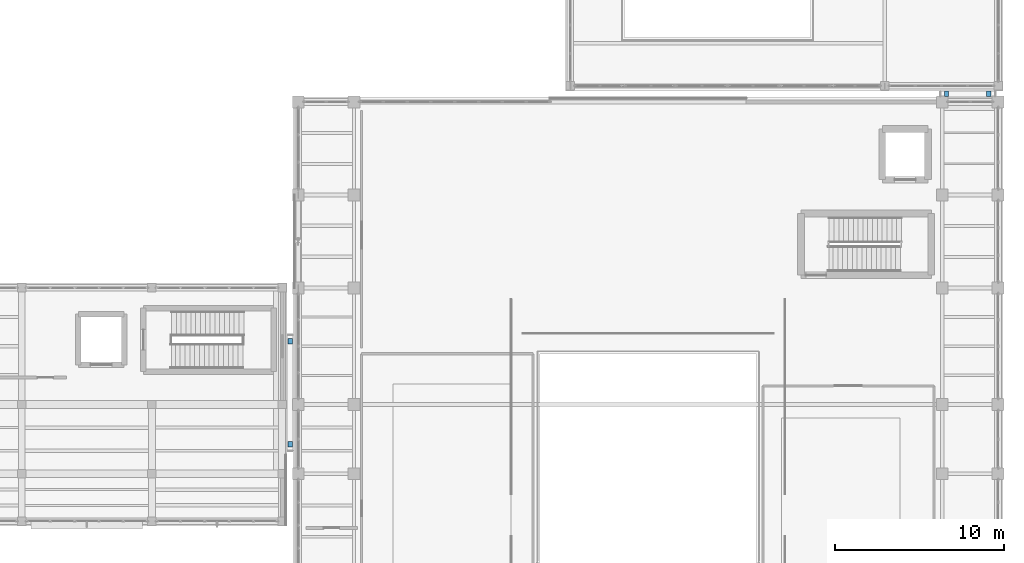
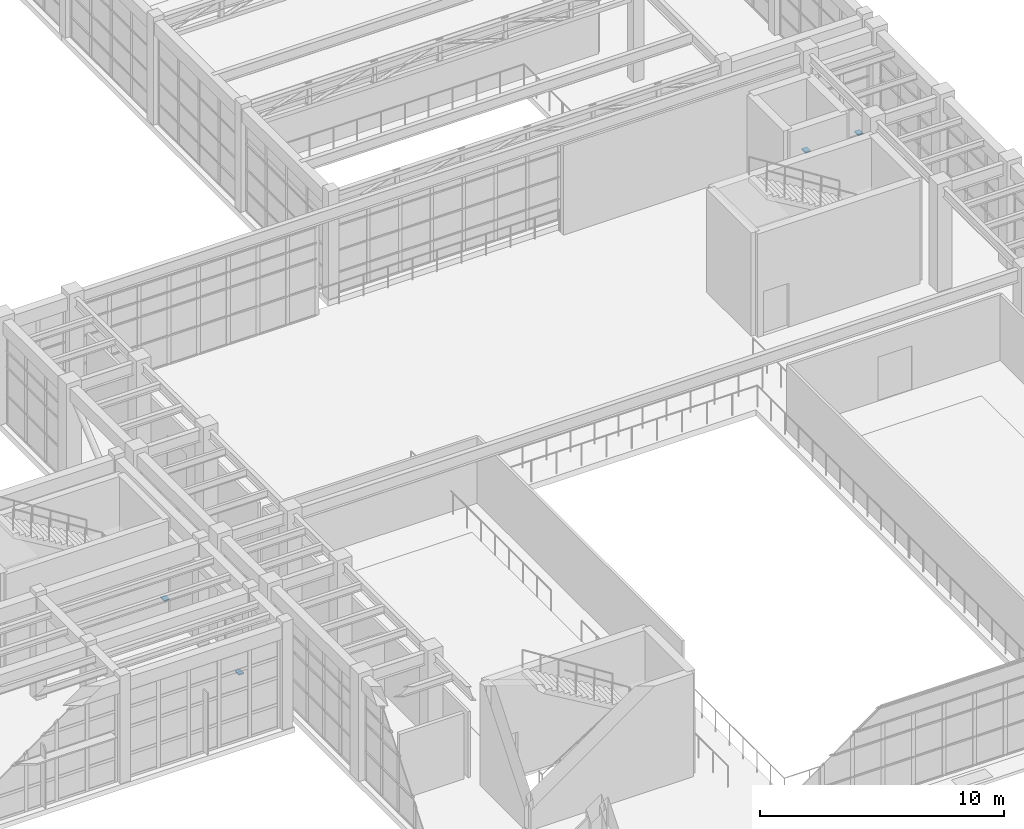
# One storey, part 96 of 103: 4 discrete accessories.
"""IFC4 building model written with IfcOpenShell, lengths in metres."""

import ifcopenshell
import ifcopenshell.guid

model = None  # the IFC model being written
_history = None  # IfcOwnerHistory: only IFC2X3 demands one
_inside = {}  # id of a spatial element -> (the spatial element, [elements in it])
_under = {}  # id of a project, library or spatial element -> (it, [spatial elements below it])
_declared = {}  # id of a project -> (the project, [libraries it declares])
_typed = {}  # id of a type object -> (the type object, [elements of that type])
_made_of = {}  # id of a material, layer set ... -> (it, [elements and type objects made of it])


def new_model(schema):
    """Start an empty IFC model of exactly this schema.

    Asked for "IFC4X3", IfcOpenShell would pick the latest addendum, in which some entities
    have other attributes; the version numbers below select the first issue.
    IFC2X3 requires an IfcOwnerHistory on every rooted entity: one is made here for all.
    """
    global model, _history
    if schema == "IFC4X3":
        model = ifcopenshell.file(schema_version=(4, 3, 0, 0))
    else:
        model = ifcopenshell.file(schema=schema)
    _inside.clear()
    _under.clear()
    _declared.clear()
    _typed.clear()
    _made_of.clear()
    _history = None
    if model.schema == "IFC2X3":
        org = make("IfcOrganization", Name="unknown")
        user = make(
            "IfcPersonAndOrganization",
            ThePerson=make("IfcPerson", FamilyName="unknown"),
            TheOrganization=org,
        )
        app = make(
            "IfcApplication",
            ApplicationDeveloper=org,
            Version="unknown",
            ApplicationFullName="unknown",
            ApplicationIdentifier="unknown",
        )
        _history = make(
            "IfcOwnerHistory",
            OwningUser=user,
            OwningApplication=app,
            ChangeAction="ADDED",
            CreationDate=0,
        )
    return model


def make(cls, **values):
    """One entity of the class cls with the attributes given. An attribute that is None is left unset."""
    return model.create_entity(
        cls, **{name: value for name, value in values.items() if value is not None}
    )


def rooted(cls, **values):
    """An entity with a GlobalId (a new one), such as an element, a storey or a relation."""
    return make(cls, GlobalId=ifcopenshell.guid.new(), OwnerHistory=_history, **values)


def si_unit(unit_type, name, prefix=None):
    """IfcSIUnit, for example si_unit("LENGTHUNIT", "METRE", prefix="MILLI")."""
    return make("IfcSIUnit", UnitType=unit_type, Prefix=prefix, Name=name)


def assignment(units):
    """IfcUnitAssignment: the units of a project."""
    return None if units is None else make("IfcUnitAssignment", Units=units)


def point(xyz):
    """IfcCartesianPoint."""
    return None if xyz is None else make("IfcCartesianPoint", Coordinates=xyz)


def direction(xyz):
    """IfcDirection."""
    return None if xyz is None else make("IfcDirection", DirectionRatios=xyz)


def frame(location, z_axis=None, x_axis=None):
    """IfcAxis2Placement3D, a coordinate frame: its origin and axes. An axis left out is left unset."""
    return make(
        "IfcAxis2Placement3D",
        Location=point(location),
        Axis=direction(z_axis),
        RefDirection=direction(x_axis),
    )


def frame_2d(location, x_axis=None):
    """IfcAxis2Placement2D, a coordinate frame in the plane: its origin and x axis."""
    return make(
        "IfcAxis2Placement2D", Location=point(location), RefDirection=direction(x_axis)
    )


def origin():
    """The frame at (0, 0, 0) with its axes left unset."""
    return frame((0.0, 0.0, 0.0))


def origin_2d():
    """The frame at (0, 0) in the plane with its x axis left unset."""
    return frame_2d((0.0, 0.0))


def place(relative_to, where):
    """IfcLocalPlacement: puts the frame where relative to a parent placement (None: the world)."""
    return make(
        "IfcLocalPlacement", PlacementRelTo=relative_to, RelativePlacement=where
    )


def context(
    kind, dimensions, precision=None, world=None, true_north=None, identifier=None
):
    """IfcGeometricRepresentationContext, for example the 3D "Model" context."""
    return make(
        "IfcGeometricRepresentationContext",
        ContextIdentifier=identifier,
        ContextType=kind,
        CoordinateSpaceDimension=dimensions,
        Precision=precision,
        WorldCoordinateSystem=world,
        TrueNorth=true_north,
    )


def subcontext(parent, identifier, kind, view, scale=None):
    """IfcGeometricRepresentationSubContext, for example "Body" below "Model"."""
    return make(
        "IfcGeometricRepresentationSubContext",
        ContextIdentifier=identifier,
        ContextType=kind,
        ParentContext=parent,
        TargetScale=scale,
        TargetView=view,
    )


def project(units=None, contexts=None):
    """IfcProject with its units and contexts."""
    return rooted(
        "IfcProject",
        Name="project",
        RepresentationContexts=contexts,
        UnitsInContext=assignment(units),
    )


def spatial(cls, under=None, at=None, **own):
    """A site, building, storey or space (cls), placed at a placement, below another one or the project."""
    s = rooted(cls, ObjectPlacement=at, **own)
    if under is not None:
        _under.setdefault(under.id(), (under, []))[1].append(s)
    return s


def profile(cls, at=None, kind="AREA", **sizes):
    """A parametric profile (cls). Its sizes go by their IFC names, for example OverallWidth=200.0."""
    return make(cls, ProfileType=kind, Position=at, **sizes)


def rectangle(**sizes):
    """IfcRectangleProfileDef."""
    return profile("IfcRectangleProfileDef", **sizes)


def extrude(swept, where, along, depth):
    """IfcExtrudedAreaSolid: the profile swept, set in the frame where, extruded along a direction by depth."""
    return make(
        "IfcExtrudedAreaSolid",
        SweptArea=swept,
        Position=where,
        ExtrudedDirection=direction(along),
        Depth=depth,
    )


def shape(context_of_items, identifier, shape_type, items):
    """IfcShapeRepresentation: the items that make up one representation, for example the "Body"."""
    return make(
        "IfcShapeRepresentation",
        ContextOfItems=context_of_items,
        RepresentationIdentifier=identifier,
        RepresentationType=shape_type,
        Items=items,
    )


def material(Name=None, Category=None):
    """IfcMaterial."""
    return make("IfcMaterial", Name=Name, Category=Category)


def made_of(thing, what):
    """Note that an element or type object is made of a material, layer set ...; save() writes the relation."""
    if what is not None:
        _made_of.setdefault(what.id(), (what, []))[1].append(thing)
    return thing


def type_object(cls, material=None, **own):
    """A type object (cls), such as IfcWallType, which elements share."""
    return made_of(rooted(cls, **own), material)


def element(
    cls,
    number,
    at=None,
    inside=None,
    cuts=None,
    type_object=None,
    material=None,
    context=None,
    identifier="Body",
    shape_type=None,
    held_by="IfcProductDefinitionShape",
    body=None,
    shapes=None,
    **own,
):
    """One element of the class cls, such as IfcWall. Its Tag is "e" and its number.

    at: its placement. inside: the storey or other place that contains it. cuts: it is an
    opening in that element (IfcRelVoidsElement). A single representation is given by context,
    identifier, shape_type and body (its items); several are given by shapes. held_by: the class
    of the entity that holds the representations. save() writes the other relations.
    """
    e = rooted(cls, Tag="e%d" % number, ObjectPlacement=at, **own)
    if body is not None:
        shapes = [shape(context, identifier, shape_type, body)]
    if shapes is not None:
        e.Representation = make(held_by, Representations=shapes)
    if inside is not None:
        _inside.setdefault(inside.id(), (inside, []))[1].append(e)
    if cuts is not None:
        rooted(
            "IfcRelVoidsElement", RelatingBuildingElement=cuts, RelatedOpeningElement=e
        )
    if type_object is not None:
        _typed.setdefault(type_object.id(), (type_object, []))[1].append(e)
    return made_of(e, material)


def aggregate(whole, parts):
    """IfcRelAggregates: a whole, such as a stair, and the parts it consists of."""
    return rooted("IfcRelAggregates", RelatingObject=whole, RelatedObjects=parts)


def save(model, path):
    """Write the relations noted so far, then the file.

    IfcRelAggregates (storeys below a building ...), IfcRelContainedInSpatialStructure (elements
    in a storey), IfcRelDefinesByType, IfcRelAssociatesMaterial and IfcRelDeclares: one each for
    every whole, place, type object, material and project.
    """
    for whole, parts in _under.values():
        aggregate(whole, parts)
    for where, things in _inside.values():
        rooted(
            "IfcRelContainedInSpatialStructure",
            RelatedElements=things,
            RelatingStructure=where,
        )
    for kind, things in _typed.values():
        rooted("IfcRelDefinesByType", RelatedObjects=things, RelatingType=kind)
    for what, things in _made_of.values():
        rooted("IfcRelAssociatesMaterial", RelatedObjects=things, RelatingMaterial=what)
    for by, libraries in _declared.values():
        rooted("IfcRelDeclares", RelatingContext=by, RelatedDefinitions=libraries)
    model.write(path)


model = new_model("IFC4")

# Units and contexts
model_context = context("Model", 3, precision=1e-05, world=origin(), true_north=direction((0.0, 1.0)))
body_context = subcontext(model_context, "Body", "Model", "MODEL_VIEW")
ifc_project = project(units=[si_unit("LENGTHUNIT", "METRE"), si_unit("AREAUNIT", "SQUARE_METRE"), si_unit("VOLUMEUNIT", "CUBIC_METRE"), si_unit("PLANEANGLEUNIT", "RADIAN"), si_unit("MASSUNIT", "GRAM", prefix="KILO")], contexts=[model_context])

# Site, building, storey
site_placement = place(None, origin())
site = spatial("IfcSite", under=ifc_project, at=site_placement, CompositionType="ELEMENT")
building_placement = place(site_placement, origin())
building = spatial("IfcBuilding", under=site, at=building_placement, Name="Candilejo Ridge Gondola Terminal", CompositionType="ELEMENT")
storey_placement = place(building_placement, frame((0.0, 0.0, 9.0)))
storey = spatial("IfcBuildingStorey", under=building, at=storey_placement, Name="L02", CompositionType="ELEMENT", Elevation=9.0)

# Discrete accessories
ifc_material = material(Name="Steel ASTM A572 Grade 50", Category="steel")
discrete_accessory_type = type_object("IfcDiscreteAccessoryType", Name="STR-PTFE-SLIDING-BEARING", PredefinedType="BRACKET", material=ifc_material)
for number, where, name in (
    (1, (133.425048828125, 27.449951171875, -0.280029296875), "PTFE sliding bridge bearing BRK-LB-SJ3-L02-1"),
    (2, (133.425048828125, 33.550048828125, -0.280029296875), "PTFE sliding bridge bearing BRK-LB-SJ3-L02-2"),
    (3, (172.25, 48.175048828125, -0.280029296875), "PTFE sliding bridge bearing BRK-LB-SJ4-L02-1"),
    (4, (174.75, 48.175048828125, -0.280029296875), "PTFE sliding bridge bearing BRK-LB-SJ4-L02-2"),
):
    element("IfcDiscreteAccessory", number, at=place(storey_placement, frame(where)), inside=storey, type_object=discrete_accessory_type, Name=name, PredefinedType="BRACKET", context=body_context, shape_type="SweptSolid", body=[
        extrude(rectangle(XDim=0.25, YDim=0.320068359375, at=origin_2d()), origin(), (0.0, 0.0, 1.0), 0.06005859375),
    ])

save(model, "model.ifc")
